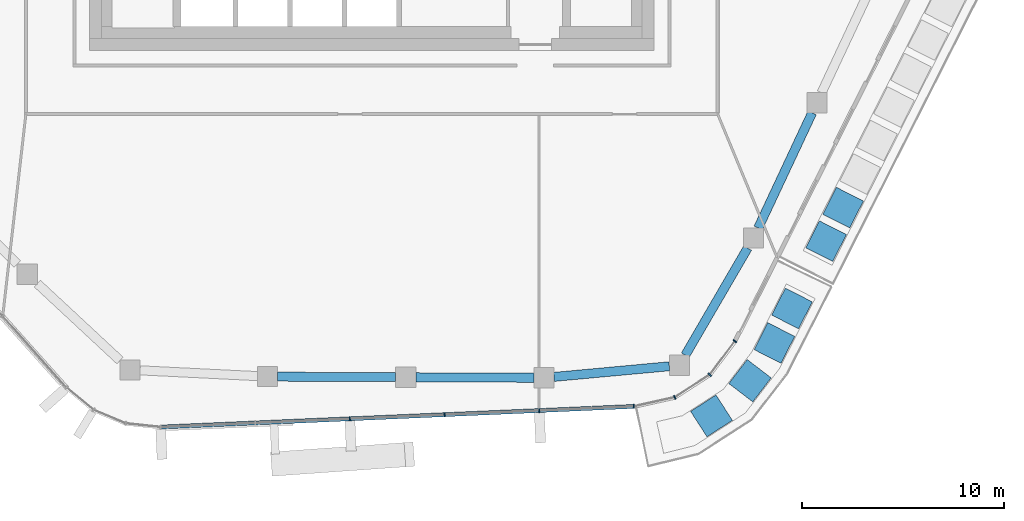
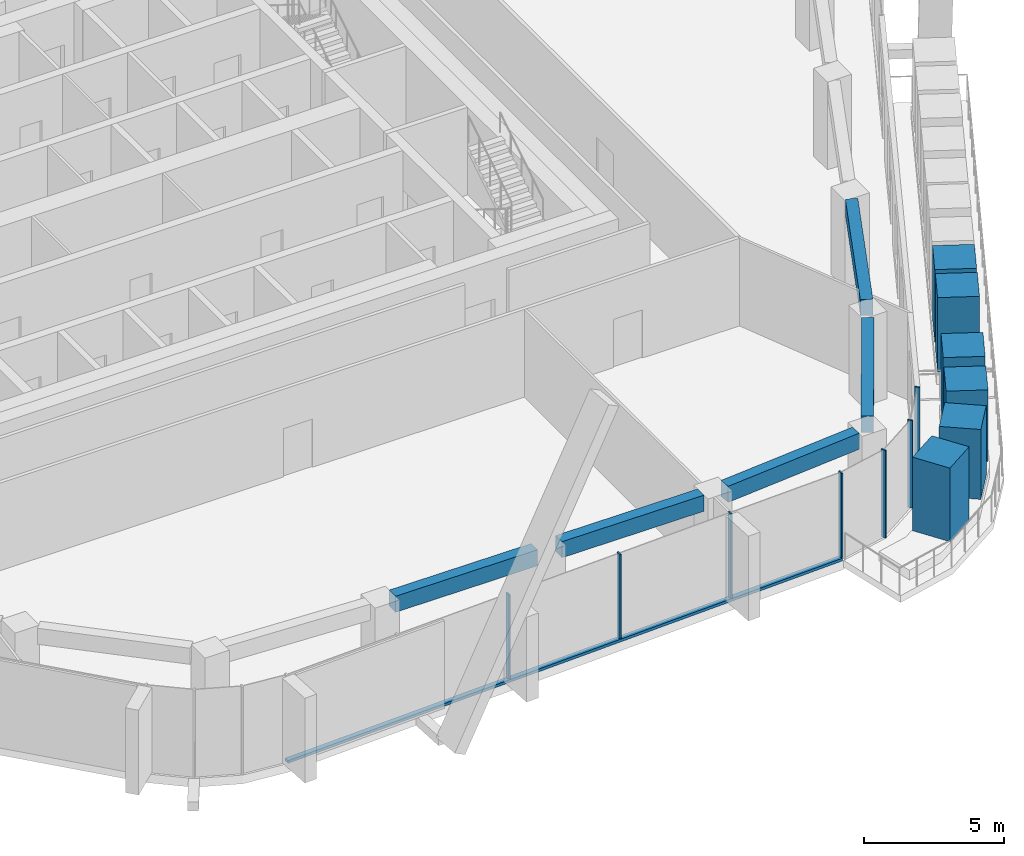
# One storey, part 4 of 23: 14 members, 5 beams, 2 elements without a shape of their own.
"""IFC4 building model written with IfcOpenShell, lengths in metres."""

from ifc_helpers import new_model, si_unit, direction, frame, origin, origin_2d, place, context, subcontext, project, spatial, rectangle, extrude, material, layer, layer_set, material_profile, profile_set, type_object, element, aggregate, save


model = new_model("IFC4")

# Units and contexts
model_context = context("Model", 3, precision=1e-05, world=origin(), true_north=direction((0.0, 1.0)))
body_context = subcontext(model_context, "Body", "Model", "MODEL_VIEW")
ifc_project = project(units=[si_unit("LENGTHUNIT", "METRE"), si_unit("AREAUNIT", "SQUARE_METRE"), si_unit("VOLUMEUNIT", "CUBIC_METRE"), si_unit("PLANEANGLEUNIT", "RADIAN"), si_unit("MASSUNIT", "GRAM", prefix="KILO")], contexts=[model_context])

# Site, building, storey
site_placement = place(None, origin())
site = spatial("IfcSite", under=ifc_project, at=site_placement, CompositionType="ELEMENT")
building_placement = place(site_placement, origin())
building = spatial("IfcBuilding", under=site, at=building_placement, Name="Dongbaek Canopy Tower", CompositionType="ELEMENT")
storey_placement = place(building_placement, frame((0.0, 0.0, 327.800048828125)))
storey = spatial("IfcBuildingStorey", under=building, at=storey_placement, Name="L70", CompositionType="ELEMENT", Elevation=327.800048828125)

# Curtain wall, members
ifc_material_1 = material(Name="Aluminium 6063-T6 pale anodised", Category="aluminium")
ifc_layer = layer(ifc_material_1, 0.199951171875)
ifc_layer_set = layer_set([ifc_layer], Name="CW-1 unitised tower curtain wall")
curtain_wall_type = type_object("IfcCurtainWallType", Name="CW-1 unitised tower curtain wall", PredefinedType="NOTDEFINED", material=ifc_layer_set)
curtain_wall_1_placement = place(storey_placement, origin())
curtain_wall_1 = element("IfcCurtainWall", 1, at=curtain_wall_1_placement, inside=storey, type_object=curtain_wall_type, Name="CW-1 curtain wall F4.1", PredefinedType="NOTDEFINED")
ifc_material_2 = material(Name="Aluminium 6063-T6 pale anodised", Category="aluminium")
ifc_material_profile_1 = material_profile(ifc_material_2, rectangle(XDim=0.199951171875, YDim=0.06005859375, at=origin_2d()), Name="CW-1 mullion 60 x 200")
ifc_profile_set_1 = profile_set([ifc_material_profile_1], Name="Aluminium 6063-T6 pale anodised")
member_type_1 = type_object("IfcMemberType", Name="CW-1 mullion 60 x 200", PredefinedType="MULLION", material=ifc_profile_set_1)
member_1_placement = place(storey_placement, frame((-1.0859375, -29.259033203125, 0.119873046875), z_axis=(0.0, 0.0, 1.0), x_axis=(0.04357165489, -0.999050304484, 0.0)))
member_1 = element("IfcMember", 2, at=member_1_placement, type_object=member_type_1, Name="CW-1 mullion F4.1.3", PredefinedType="MULLION", context=body_context, shape_type="SweptSolid", body=[
    extrude(rectangle(XDim=0.199951171875, YDim=0.06005859375, at=origin_2d()), origin(), (0.0, 0.0, 1.0), 3.7001953125),
])
member_2_placement = place(storey_placement, frame((3.608642578125, -29.05419921875, 0.119873046875), z_axis=(0.0, 0.0, 1.0), x_axis=(0.04357165489, -0.999050304484, 0.0)))
member_2 = element("IfcMember", 3, at=member_2_placement, type_object=member_type_1, Name="CW-1 mullion F4.1.4", PredefinedType="MULLION", context=body_context, shape_type="SweptSolid", body=[
    extrude(rectangle(XDim=0.199951171875, YDim=0.06005859375, at=origin_2d()), origin(), (0.0, 0.0, 1.0), 3.7001953125),
])
member_3_placement = place(storey_placement, frame((8.303466796875, -28.849609375, 0.119873046875), z_axis=(0.0, 0.0, 1.0), x_axis=(0.04357165489, -0.999050304484, 0.0)))
member_3 = element("IfcMember", 4, at=member_3_placement, type_object=member_type_1, Name="CW-1 mullion F4.1.5", PredefinedType="MULLION", context=body_context, shape_type="SweptSolid", body=[
    extrude(rectangle(XDim=0.199951171875, YDim=0.06005859375, at=origin_2d()), origin(), (0.0, 0.0, 1.0), 3.7001953125),
])
member_4_placement = place(storey_placement, frame((12.9892578125, -28.645263671875, 0.119873046875), z_axis=(0.0, 0.0, 1.0), x_axis=(0.04357165489, -0.999050304484, 0.0)))
member_4 = element("IfcMember", 5, at=member_4_placement, type_object=member_type_1, Name="CW-1 mullion F4.1.6", PredefinedType="MULLION", context=body_context, shape_type="SweptSolid", body=[
    extrude(rectangle(XDim=0.199951171875, YDim=0.06005859375, at=origin_2d()), origin(), (0.0, 0.0, 1.0), 3.7001953125),
])

curtain_wall_2_placement = place(storey_placement, origin())
curtain_wall_2 = element("IfcCurtainWall", 6, at=curtain_wall_2_placement, inside=storey, type_object=curtain_wall_type, Name="CW-1 curtain wall K5.1", PredefinedType="NOTDEFINED")
member_5_placement = place(storey_placement, frame((15.01806640625, -28.191650390625, 0.0), z_axis=(0.0, 0.0, 1.0), x_axis=(0.386036880403, -0.9224833478, 0.0)))
member_5 = element("IfcMember", 7, at=member_5_placement, type_object=member_type_1, Name="CW-1 mullion K5.1.2", PredefinedType="MULLION", context=body_context, shape_type="SweptSolid", body=[
    extrude(rectangle(XDim=0.199951171875, YDim=0.06005859375, at=origin_2d()), origin(), (0.0, 0.0, 1.0), 3.820068359375),
])
member_6_placement = place(storey_placement, frame((16.757568359375, -27.06982421875, 0.0), z_axis=(0.0, 0.0, 1.0), x_axis=(0.680963621466, -0.73231724426, 0.0)))
member_6 = element("IfcMember", 8, at=member_6_placement, type_object=member_type_1, Name="CW-1 mullion K5.1.3", PredefinedType="MULLION", context=body_context, shape_type="SweptSolid", body=[
    extrude(rectangle(XDim=0.199951171875, YDim=0.06005859375, at=origin_2d()), origin(), (0.0, 0.0, 1.0), 3.820068359375),
])
member_7_placement = place(storey_placement, frame((18.008056640625, -25.4091796875, 0.0), z_axis=(0.0, 0.0, 1.0), x_axis=(0.798891953593, -0.60147456013, 0.0)))
member_7 = element("IfcMember", 9, at=member_7_placement, type_object=member_type_1, Name="CW-1 mullion K5.1.4", PredefinedType="MULLION", context=body_context, shape_type="SweptSolid", body=[
    extrude(rectangle(XDim=0.199951171875, YDim=0.06005859375, at=origin_2d()), origin(), (0.0, 0.0, 1.0), 3.820068359375),
])
aggregate(curtain_wall_2, [member_5, member_6, member_7])

# Member
ifc_material_3 = material(Name="Aluminium 6063-T6 pale anodised", Category="aluminium")
ifc_material_profile_2 = material_profile(ifc_material_3, rectangle(XDim=0.199951171875, YDim=0.1201171875, at=origin_2d()), Name="CW-1 transom 120 x 200")
ifc_profile_set_2 = profile_set([ifc_material_profile_2], Name="Aluminium 6063-T6 pale anodised")
member_type_2 = type_object("IfcMemberType", Name="CW-1 transom 120 x 200", PredefinedType="USERDEFINED", material=ifc_profile_set_2)
member_8_placement = place(storey_placement, frame((-10.4677734375, -29.668212890625, 0.06005859375), z_axis=(0.999050460253, 0.043568083144, 0.0), x_axis=(-0.043568083144, 0.999050460253, 0.0)))
member_8 = element("IfcMember", 10, at=member_8_placement, type_object=member_type_2, Name="CW-1 transom F4.1.1", ObjectType="TRANSOM", PredefinedType="USERDEFINED", context=body_context, shape_type="SweptSolid", body=[
    extrude(rectangle(XDim=0.199951171875, YDim=0.1201171875, at=origin_2d()), origin(), (0.0, 0.0, 1.0), 23.479248046875),
])

aggregate(curtain_wall_1, [member_1, member_2, member_3, member_4, member_8])

# Beams
ifc_material_4 = material(Name="Concrete C60", Category="concrete")
ifc_material_profile_3 = material_profile(ifc_material_4, rectangle(XDim=0.449951171875, YDim=0.699951171875, at=origin_2d()), Name="RC EDGE BEAM 450x700 C60")
ifc_profile_set_3 = profile_set([ifc_material_profile_3], Name="Concrete C60")
beam_type = type_object("IfcBeamType", Name="RC EDGE BEAM 450x700 C60", PredefinedType="BEAM", material=ifc_profile_set_3)
beam_1_placement = place(storey_placement, frame((14.751953125, -26.653076171875, 3.469970703125), z_axis=(-0.995766439544, -0.091919518479, 0.0), x_axis=(0.091919518479, -0.995766439544, 0.0)))
element("IfcBeam", 11, at=beam_1_placement, inside=storey, type_object=beam_type, Name="EDGEBEAM:L70:00", PredefinedType="BEAM", context=body_context, shape_type="SweptSolid", body=[
    extrude(rectangle(XDim=0.449951171875, YDim=0.699951171875, at=origin_2d()), origin(), (0.0, 0.0, 1.0), 5.742431640625),
])
beam_2_placement = place(storey_placement, frame((8.033935546875, -27.224853515625, 3.469970703125), z_axis=(-0.999990401851, 0.004381347473, 0.0), x_axis=(-0.004381347473, -0.999990401851, 0.0)))
element("IfcBeam", 12, at=beam_2_placement, inside=storey, type_object=beam_type, Name="EDGEBEAM:L70:01", PredefinedType="BEAM", context=body_context, shape_type="SweptSolid", body=[
    extrude(rectangle(XDim=0.449951171875, YDim=0.699951171875, at=origin_2d()), origin(), (0.0, 0.0, 1.0), 5.850830078125),
])
beam_3_placement = place(storey_placement, frame((1.18310546875, -27.19482421875, 3.469970703125), z_axis=(-0.999990396242, 0.004382627582, 0.0), x_axis=(-0.004382627582, -0.999990396242, 0.0)))
element("IfcBeam", 13, at=beam_3_placement, inside=storey, type_object=beam_type, Name="EDGEBEAM:L70:02", PredefinedType="BEAM", context=body_context, shape_type="SweptSolid", body=[
    extrude(rectangle(XDim=0.449951171875, YDim=0.699951171875, at=origin_2d()), origin(), (0.0, 0.0, 1.0), 5.84912109375),
])
beam_4_placement = place(storey_placement, frame((21.833740234375, -14.087890625, 3.469970703125), z_axis=(-0.424294949226, -0.905524044993, 0.0), x_axis=(0.905524044993, -0.424294949226, 0.0)))
element("IfcBeam", 14, at=beam_4_placement, inside=storey, type_object=beam_type, Name="EDGEBEAM:L70:24", PredefinedType="BEAM", context=body_context, shape_type="SweptSolid", body=[
    extrude(rectangle(XDim=0.449951171875, YDim=0.699951171875, at=origin_2d()), origin(), (0.0, 0.0, 1.0), 6.303466796875),
])
beam_5_placement = place(storey_placement, frame((18.634033203125, -20.7958984375, 3.469970703125), z_axis=(-0.503016078482, -0.864277053258, 0.0), x_axis=(0.864277053258, -0.503016078482, 0.0)))
element("IfcBeam", 15, at=beam_5_placement, inside=storey, type_object=beam_type, Name="EDGEBEAM:L70:25", PredefinedType="BEAM", context=body_context, shape_type="SweptSolid", body=[
    extrude(rectangle(XDim=0.449951171875, YDim=0.699951171875, at=origin_2d()), origin(), (0.0, 0.0, 1.0), 6.14501953125),
])

# Members
ifc_material_5 = material(Name="Concrete C40/50 planter mass with planting", Category="concrete")
ifc_material_profile_4 = material_profile(ifc_material_5, rectangle(XDim=1.5, YDim=1.5, at=origin_2d()), Name="Terrace PLANTER shrub mass 1500 x 1500")
ifc_profile_set_4 = profile_set([ifc_material_profile_4], Name="Concrete C40/50 planter mass with planting")
member_type_3 = type_object("IfcMemberType", Name="Terrace PLANTER shrub mass 1500 x 1500", PredefinedType="USERDEFINED", material=ifc_profile_set_4)
member_9_placement = place(storey_placement, frame((22.52685546875, -20.450927734375, 0.419921875), z_axis=(0.0, 0.0, 1.0), x_axis=(0.892033145359, -0.451969985266, 0.0)))
element("IfcMember", 16, at=member_9_placement, inside=storey, type_object=member_type_3, Name="Planter shrubs L70 4.1", ObjectType="PLANTER", PredefinedType="USERDEFINED", context=body_context, shape_type="SweptSolid", body=[
    extrude(rectangle(XDim=1.5, YDim=1.5, at=origin_2d()), origin(), (0.0, 0.0, 1.0), 3.25),
])
member_10_placement = place(storey_placement, frame((23.368896484375, -18.788818359375, 0.419921875), z_axis=(0.0, 0.0, 1.0), x_axis=(0.892033145359, -0.451969985266, 0.0)))
element("IfcMember", 17, at=member_10_placement, inside=storey, type_object=member_type_3, Name="Planter shrubs L70 4.2", ObjectType="PLANTER", PredefinedType="USERDEFINED", context=body_context, shape_type="SweptSolid", body=[
    extrude(rectangle(XDim=1.5, YDim=1.5, at=origin_2d()), origin(), (0.0, 0.0, 1.0), 3.169921875),
])
member_11_placement = place(storey_placement, frame((16.843505859375, -29.113037109375, 0.419921875), z_axis=(0.0, 0.0, 1.0), x_axis=(0.541907099486, -0.840438394843, 0.0)))
element("IfcMember", 18, at=member_11_placement, inside=storey, type_object=member_type_3, Name="Planter shrubs L70 7.1", ObjectType="PLANTER", PredefinedType="USERDEFINED", context=body_context, shape_type="SweptSolid", body=[
    extrude(rectangle(XDim=1.5, YDim=1.5, at=origin_2d()), origin(), (0.0, 0.0, 1.0), 3.2099609375),
])
member_12_placement = place(storey_placement, frame((18.752685546875, -27.368896484375, 0.419921875), z_axis=(0.0, 0.0, 1.0), x_axis=(0.794234986765, -0.607610718963, 0.0)))
element("IfcMember", 19, at=member_12_placement, inside=storey, type_object=member_type_3, Name="Planter shrubs L70 7.2", ObjectType="PLANTER", PredefinedType="USERDEFINED", context=body_context, shape_type="SweptSolid", body=[
    extrude(rectangle(XDim=1.5, YDim=1.5, at=origin_2d()), origin(), (0.0, 0.0, 1.0), 3.050048828125),
])
member_13_placement = place(storey_placement, frame((19.963134765625, -25.5, 0.419921875), z_axis=(0.0, 0.0, 1.0), x_axis=(0.891259147626, -0.453494356936, 0.0)))
element("IfcMember", 20, at=member_13_placement, inside=storey, type_object=member_type_3, Name="Planter shrubs L70 7.3", ObjectType="PLANTER", PredefinedType="USERDEFINED", context=body_context, shape_type="SweptSolid", body=[
    extrude(rectangle(XDim=1.5, YDim=1.5, at=origin_2d()), origin(), (0.0, 0.0, 1.0), 3.130126953125),
])
member_14_placement = place(storey_placement, frame((20.834228515625, -23.7880859375, 0.419921875), z_axis=(0.0, 0.0, 1.0), x_axis=(0.891259147626, -0.453494356936, 0.0)))
element("IfcMember", 21, at=member_14_placement, inside=storey, type_object=member_type_3, Name="Planter shrubs L70 7.4", ObjectType="PLANTER", PredefinedType="USERDEFINED", context=body_context, shape_type="SweptSolid", body=[
    extrude(rectangle(XDim=1.5, YDim=1.5, at=origin_2d()), origin(), (0.0, 0.0, 1.0), 3.25),
])

save(model, "model.ifc")
